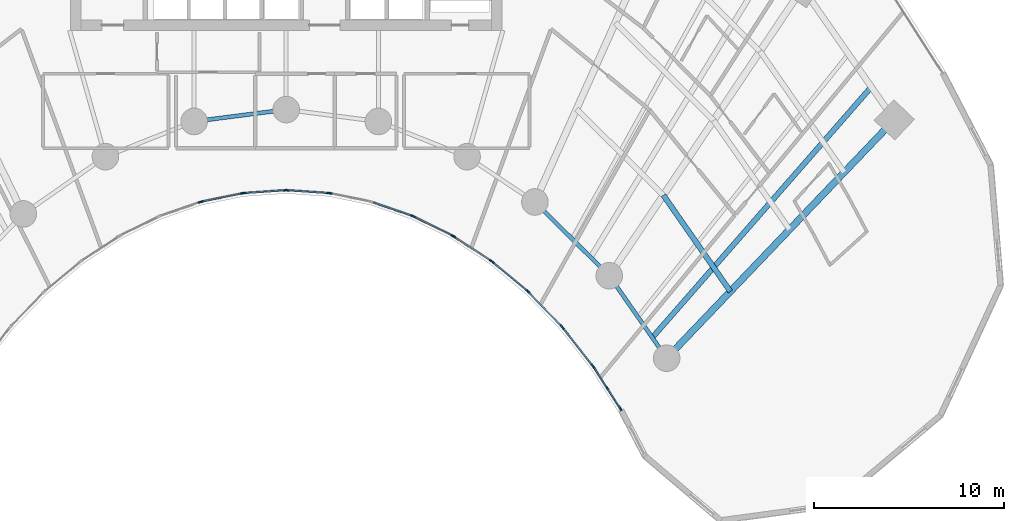
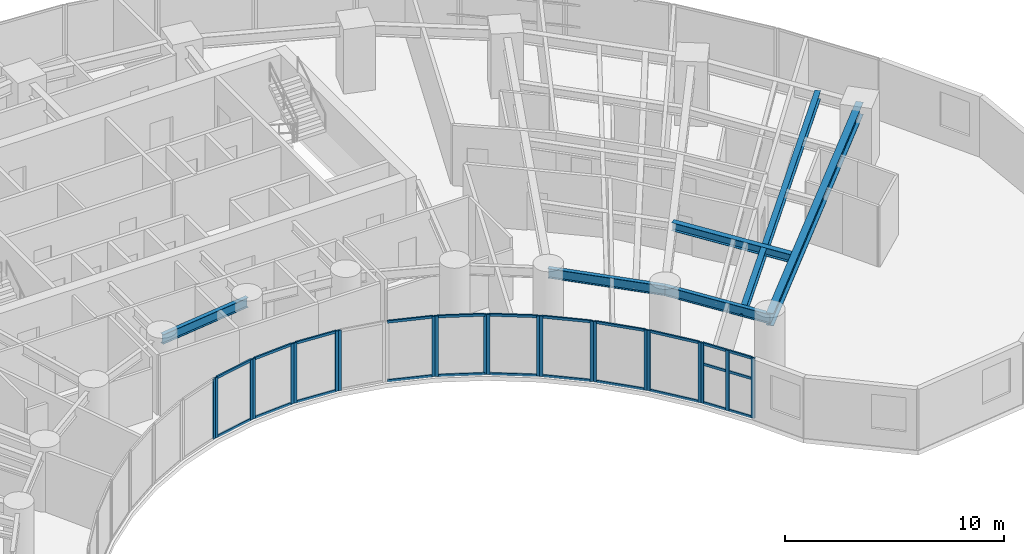
# One storey, part 4 of 17: 46 members, 6 beams, 12 elements without a shape of their own.
"""IFC4 building model written with IfcOpenShell, lengths in metres."""

from ifc_helpers import new_model, si_unit, direction, frame, origin, origin_2d, place, context, subcontext, project, spatial, rectangle, i_section, extrude, source, transform, mapped, material, layer, layer_set, material_profile, profile_set, type_object, type_shapes, element, aggregate, save


model = new_model("IFC4")

# Units and contexts
model_context = context("Model", 3, precision=1e-05, world=origin(), true_north=direction((0.0, 1.0)))
body_context = subcontext(model_context, "Body", "Model", "MODEL_VIEW")
ifc_project = project(units=[si_unit("LENGTHUNIT", "METRE"), si_unit("AREAUNIT", "SQUARE_METRE"), si_unit("VOLUMEUNIT", "CUBIC_METRE"), si_unit("PLANEANGLEUNIT", "RADIAN"), si_unit("MASSUNIT", "GRAM", prefix="KILO")], contexts=[model_context])

# Site, building, storey
site_placement = place(None, origin())
site = spatial("IfcSite", under=ifc_project, at=site_placement, CompositionType="ELEMENT")
building_placement = place(site_placement, origin())
building = spatial("IfcBuilding", under=site, at=building_placement, Name="Breltana Convention Tower", CompositionType="ELEMENT")
storey_placement = place(building_placement, frame((0.0, 0.0, 60.60009765625)))
storey = spatial("IfcBuildingStorey", under=building, at=storey_placement, Name="L13", CompositionType="ELEMENT", Elevation=60.60009765625)

# Beams
ifc_material_1 = material(Name="Steel ASTM A992 Grade 50", Category="steel")
ifc_material_profile_1 = material_profile(ifc_material_1, i_section(OverallWidth=0.35498046875, OverallDepth=0.696044921875, WebThickness=0.015380859375, FlangeThickness=0.02490234375, at=origin_2d()), Name="W27X146")
ifc_profile_set_1 = profile_set([ifc_material_profile_1], Name="Steel ASTM A992 Grade 50")
beam_type_1 = type_object("IfcBeamType", Name="BM-RG-W27X146", PredefinedType="USERDEFINED", material=ifc_profile_set_1)
shared_shape_1 = source(origin(), body_context, "Body", "SweptSolid", [
    extrude(i_section(OverallWidth=0.35498046875, OverallDepth=0.696044921875, WebThickness=0.015380859375, FlangeThickness=0.02490234375, at=origin_2d()), origin(), (0.0, 0.0, 1.0), 17.341064453125),
])
type_shapes(beam_type_1, [shared_shape_1])
beam_1_placement = place(storey_placement, frame((68.015380859375, 42.95458984375, 3.011962890625), z_axis=(0.690716462293, 0.723125693581, 0.0), x_axis=(-0.723125693581, 0.690716462293, 0.0)))
element("IfcBeam", 1, at=beam_1_placement, inside=storey, type_object=beam_type_1, Name="L13 Radial Floor Girder R11", ObjectType="GIRDER", PredefinedType="USERDEFINED", context=body_context, shape_type="MappedRepresentation", body=[
    mapped(shared_shape_1, transform((0.0, 0.0, 0.0), scale=1.0)),
])
ifc_material_profile_2 = material_profile(ifc_material_1, i_section(OverallWidth=0.2099609375, OverallDepth=0.537109375, WebThickness=0.010986328125, FlangeThickness=0.017333984375, at=origin_2d()), Name="W21X68")
ifc_profile_set_2 = profile_set([ifc_material_profile_2], Name="Steel ASTM A992 Grade 50")
beam_type_2 = type_object("IfcBeamType", Name="BM-BM-W21X68", PredefinedType="BEAM", material=ifc_profile_set_2)
shared_shape_2 = source(origin(), body_context, "Body", "SweptSolid", [
    extrude(i_section(OverallWidth=0.2099609375, OverallDepth=0.537109375, WebThickness=0.010986328125, FlangeThickness=0.017333984375, at=origin_2d()), origin(), (0.0, 0.0, 1.0), 4.88671875),
])
beam_2_placement = place(storey_placement, frame((43.153564453125, 55.41064453125, 3.09130859375), z_axis=(0.991780525565, 0.127950729231, 0.0), x_axis=(-0.127950729231, 0.991780525565, 0.0)))
element("IfcBeam", 2, at=beam_2_placement, inside=storey, type_object=beam_type_2, Name="L13 Inner Ring Beam 05", PredefinedType="BEAM", context=body_context, shape_type="MappedRepresentation", body=[
    mapped(shared_shape_2, transform((0.0, 0.0, 0.0), scale=1.0)),
])
shared_shape_3 = source(origin(), body_context, "Body", "SweptSolid", [
    extrude(i_section(OverallWidth=0.2099609375, OverallDepth=0.537109375, WebThickness=0.010986328125, FlangeThickness=0.017333984375, at=origin_2d()), origin(), (0.0, 0.0, 1.0), 5.51171875),
])
beam_3_placement = place(storey_placement, frame((61.08203125, 51.174560546875, 3.09130859375), z_axis=(0.710090360749, -0.704110559196, 0.0), x_axis=(0.704110559196, 0.710090360749, 0.0)))
element("IfcBeam", 3, at=beam_3_placement, inside=storey, type_object=beam_type_2, Name="L13 Inner Ring Beam 09", PredefinedType="BEAM", context=body_context, shape_type="MappedRepresentation", body=[
    mapped(shared_shape_3, transform((0.0, 0.0, 0.0), scale=1.0)),
])
shared_shape_4 = source(origin(), body_context, "Body", "SweptSolid", [
    extrude(i_section(OverallWidth=0.2099609375, OverallDepth=0.537109375, WebThickness=0.010986328125, FlangeThickness=0.017333984375, at=origin_2d()), origin(), (0.0, 0.0, 1.0), 5.286376953125),
])
beam_4_placement = place(storey_placement, frame((64.995849609375, 47.293701171875, 3.09130859375), z_axis=(0.571194382458, -0.82081482531, 0.0), x_axis=(0.82081482531, 0.571194382458, 0.0)))
element("IfcBeam", 4, at=beam_4_placement, inside=storey, type_object=beam_type_2, Name="L13 Inner Ring Beam 10", PredefinedType="BEAM", context=body_context, shape_type="MappedRepresentation", body=[
    mapped(shared_shape_4, transform((0.0, 0.0, 0.0), scale=1.0)),
])
ifc_material_profile_3 = material_profile(ifc_material_1, i_section(OverallWidth=0.280029296875, OverallDepth=0.462890625, WebThickness=0.0107421875, FlangeThickness=0.017333984375, at=origin_2d()), Name="W18X76")
ifc_profile_set_3 = profile_set([ifc_material_profile_3], Name="Steel ASTM A992 Grade 50")
beam_type_3 = type_object("IfcBeamType", Name="BM-JSG-06", PredefinedType="JOIST", material=ifc_profile_set_3)
shared_shape_5 = source(origin(), body_context, "Body", "SweptSolid", [
    extrude(i_section(OverallWidth=0.280029296875, OverallDepth=0.462890625, WebThickness=0.0107421875, FlangeThickness=0.017333984375, at=origin_2d()), origin(), (0.0, 0.0, 1.0), 6.172119140625),
])
beam_5_placement = place(storey_placement, frame((67.84375, 51.531982421875, 3.12841796875), z_axis=(0.571211663392, -0.820802799462, 0.0), x_axis=(0.820802799462, 0.571211663392, 0.0)))
element("IfcBeam", 5, at=beam_5_placement, inside=storey, type_object=beam_type_3, Name="L13 Composite Floor Joist 10.1", PredefinedType="JOIST", context=body_context, shape_type="MappedRepresentation", body=[
    mapped(shared_shape_5, transform((0.0, 0.0, 0.0), scale=1.0)),
])
shared_shape_6 = source(origin(), body_context, "Body", "SweptSolid", [
    extrude(i_section(OverallWidth=0.280029296875, OverallDepth=0.462890625, WebThickness=0.0107421875, FlangeThickness=0.017333984375, at=origin_2d()), origin(), (0.0, 0.0, 1.0), 17.515625),
])
beam_6_placement = place(storey_placement, frame((67.260498046875, 44.03955078125, 3.12841796875), z_axis=(0.658051548324, 0.752972881151, 0.0), x_axis=(-0.752972881151, 0.658051548324, 0.0)))
element("IfcBeam", 6, at=beam_6_placement, inside=storey, type_object=beam_type_3, Name="L13 Quarter-Bay Radial Trimmer 10", PredefinedType="JOIST", context=body_context, shape_type="MappedRepresentation", body=[
    mapped(shared_shape_6, transform((0.0, 0.0, 0.0), scale=1.0)),
])

# Curtain wall, members
ifc_material_2 = material(Name="Aluminium Anodised Bronze Frame", Category="aluminium")
ifc_layer = layer(ifc_material_2, 0.18994140625, Name="Aluminium Anodised Bronze Frame")
ifc_layer_set = layer_set([ifc_layer], Name="Aluminium Anodised Bronze Frame")
curtain_wall_type = type_object("IfcCurtainWallType", Name="CW-SYS-1", PredefinedType="NOTDEFINED", material=ifc_layer_set)
curtain_wall_1_placement = place(storey_placement, origin())
curtain_wall_1 = element("IfcCurtainWall", 7, at=curtain_wall_1_placement, inside=storey, type_object=curtain_wall_type, Name="L13 inner south-court glazing 3", PredefinedType="NOTDEFINED")
ifc_material_3 = material(Name="Aluminium Anodised Bronze", Category="aluminium")
ifc_material_profile_4 = material_profile(ifc_material_3, rectangle(XDim=0.080078125, YDim=0.139892578125, at=origin_2d()), Name="CWT-80X140")
ifc_profile_set_4 = profile_set([ifc_material_profile_4], Name="Aluminium Anodised Bronze")
member_type_1 = type_object("IfcMemberType", Name="CWT-140", PredefinedType="USERDEFINED", material=ifc_profile_set_4)
shared_shape_7 = source(origin(), body_context, "Body", "SweptSolid", [
    extrude(rectangle(XDim=0.080078125, YDim=0.139892578125, at=origin_2d()), origin(), (0.0, 0.0, 1.0), 2.38720703125),
])
type_shapes(member_type_1, [shared_shape_7])
member_1_placement = place(storey_placement, frame((62.4560546875, 44.667724609375, 0.039794921875), z_axis=(-0.694623715393, 0.719373264734, 0.0), x_axis=(-0.719373264734, -0.694623715393, 0.0)))
member_1 = element("IfcMember", 8, at=member_1_placement, type_object=member_type_1, Name="CW-01 transom 1.1", ObjectType="TRANSOM", PredefinedType="USERDEFINED", context=body_context, shape_type="MappedRepresentation", body=[
    mapped(shared_shape_7, transform((0.0, 0.0, 0.0), scale=1.0)),
])
member_2_placement = place(storey_placement, frame((62.4560546875, 44.667724609375, 3.31982421875), z_axis=(-0.694623715393, 0.719373264734, 0.0), x_axis=(-0.719373264734, -0.694623715393, 0.0)))
member_2 = element("IfcMember", 9, at=member_2_placement, type_object=member_type_1, Name="CW-01 transom 1.2", ObjectType="TRANSOM", PredefinedType="USERDEFINED", context=body_context, shape_type="MappedRepresentation", body=[
    mapped(shared_shape_7, transform((0.0, 0.0, 0.0), scale=1.0)),
])

curtain_wall_2_placement = place(storey_placement, origin())
curtain_wall_2 = element("IfcCurtainWall", 10, at=curtain_wall_2_placement, inside=storey, type_object=curtain_wall_type, Name="L13 inner south-court glazing 4", PredefinedType="NOTDEFINED")
shared_shape_8 = source(origin(), body_context, "Body", "SweptSolid", [
    extrude(rectangle(XDim=0.080078125, YDim=0.139892578125, at=origin_2d()), origin(), (0.0, 0.0, 1.0), 2.312255859375),
])
member_3_placement = place(storey_placement, frame((60.666748046875, 46.5068359375, 0.039794921875), z_axis=(-0.767900974507, 0.640568570374, 0.0), x_axis=(-0.640568570374, -0.767900974507, 0.0)))
member_3 = element("IfcMember", 11, at=member_3_placement, type_object=member_type_1, Name="CW-01 transom 1.1", ObjectType="TRANSOM", PredefinedType="USERDEFINED", context=body_context, shape_type="MappedRepresentation", body=[
    mapped(shared_shape_8, transform((0.0, 0.0, 0.0), scale=1.0)),
])
member_4_placement = place(storey_placement, frame((60.666748046875, 46.5068359375, 3.31982421875), z_axis=(-0.767900974507, 0.640568570374, 0.0), x_axis=(-0.640568570374, -0.767900974507, 0.0)))
member_4 = element("IfcMember", 12, at=member_4_placement, type_object=member_type_1, Name="CW-01 transom 1.2", ObjectType="TRANSOM", PredefinedType="USERDEFINED", context=body_context, shape_type="MappedRepresentation", body=[
    mapped(shared_shape_8, transform((0.0, 0.0, 0.0), scale=1.0)),
])

curtain_wall_3_placement = place(storey_placement, origin())
curtain_wall_3 = element("IfcCurtainWall", 13, at=curtain_wall_3_placement, inside=storey, type_object=curtain_wall_type, Name="L13 inner south-court glazing 5", PredefinedType="NOTDEFINED")
shared_shape_9 = source(origin(), body_context, "Body", "SweptSolid", [
    extrude(rectangle(XDim=0.080078125, YDim=0.139892578125, at=origin_2d()), origin(), (0.0, 0.0, 1.0), 2.2421875),
])
member_5_placement = place(storey_placement, frame((58.746337890625, 48.095458984375, 0.039794921875), z_axis=(-0.835982353773, 0.548756324957, 0.0), x_axis=(-0.548756324957, -0.835982353773, 0.0)))
member_5 = element("IfcMember", 14, at=member_5_placement, type_object=member_type_1, Name="CW-01 transom 1.1", ObjectType="TRANSOM", PredefinedType="USERDEFINED", context=body_context, shape_type="MappedRepresentation", body=[
    mapped(shared_shape_9, transform((0.0, 0.0, 0.0), scale=1.0)),
])
member_6_placement = place(storey_placement, frame((58.746337890625, 48.095458984375, 3.31982421875), z_axis=(-0.835982353773, 0.548756324957, 0.0), x_axis=(-0.548756324957, -0.835982353773, 0.0)))
member_6 = element("IfcMember", 15, at=member_6_placement, type_object=member_type_1, Name="CW-01 transom 1.2", ObjectType="TRANSOM", PredefinedType="USERDEFINED", context=body_context, shape_type="MappedRepresentation", body=[
    mapped(shared_shape_9, transform((0.0, 0.0, 0.0), scale=1.0)),
])

curtain_wall_4_placement = place(storey_placement, origin())
curtain_wall_4 = element("IfcCurtainWall", 16, at=curtain_wall_4_placement, inside=storey, type_object=curtain_wall_type, Name="L13 inner south-court glazing 6", PredefinedType="NOTDEFINED")
shared_shape_10 = source(origin(), body_context, "Body", "SweptSolid", [
    extrude(rectangle(XDim=0.080078125, YDim=0.139892578125, at=origin_2d()), origin(), (0.0, 0.0, 1.0), 2.180908203125),
])
member_7_placement = place(storey_placement, frame((56.71435546875, 49.416015625, 0.039794921875), z_axis=(-0.895922266369, 0.444210865045, 0.0), x_axis=(-0.444210865045, -0.895922266369, 0.0)))
member_7 = element("IfcMember", 17, at=member_7_placement, type_object=member_type_1, Name="CW-01 transom 1.1", ObjectType="TRANSOM", PredefinedType="USERDEFINED", context=body_context, shape_type="MappedRepresentation", body=[
    mapped(shared_shape_10, transform((0.0, 0.0, 0.0), scale=1.0)),
])
member_8_placement = place(storey_placement, frame((56.71435546875, 49.416015625, 3.31982421875), z_axis=(-0.895922266369, 0.444210865045, 0.0), x_axis=(-0.444210865045, -0.895922266369, 0.0)))
member_8 = element("IfcMember", 18, at=member_8_placement, type_object=member_type_1, Name="CW-01 transom 1.2", ObjectType="TRANSOM", PredefinedType="USERDEFINED", context=body_context, shape_type="MappedRepresentation", body=[
    mapped(shared_shape_10, transform((0.0, 0.0, 0.0), scale=1.0)),
])

curtain_wall_5_placement = place(storey_placement, origin())
curtain_wall_5 = element("IfcCurtainWall", 19, at=curtain_wall_5_placement, inside=storey, type_object=curtain_wall_type, Name="L13 inner south-court glazing 9", PredefinedType="NOTDEFINED")
shared_shape_11 = source(origin(), body_context, "Body", "SweptSolid", [
    extrude(rectangle(XDim=0.080078125, YDim=0.139892578125, at=origin_2d()), origin(), (0.0, 0.0, 1.0), 2.07861328125),
])
member_9_placement = place(storey_placement, frame((50.165771484375, 51.6474609375, 0.039794921875), z_axis=(-0.997708627147, 0.067657189691, 0.0), x_axis=(-0.067657189691, -0.997708627147, 0.0)))
member_9 = element("IfcMember", 20, at=member_9_placement, type_object=member_type_1, Name="CW-01 transom 1.1", ObjectType="TRANSOM", PredefinedType="USERDEFINED", context=body_context, shape_type="MappedRepresentation", body=[
    mapped(shared_shape_11, transform((0.0, 0.0, 0.0), scale=1.0)),
])
member_10_placement = place(storey_placement, frame((50.165771484375, 51.6474609375, 3.31982421875), z_axis=(-0.997708627147, 0.067657189691, 0.0), x_axis=(-0.067657189691, -0.997708627147, 0.0)))
member_10 = element("IfcMember", 21, at=member_10_placement, type_object=member_type_1, Name="CW-01 transom 1.2", ObjectType="TRANSOM", PredefinedType="USERDEFINED", context=body_context, shape_type="MappedRepresentation", body=[
    mapped(shared_shape_11, transform((0.0, 0.0, 0.0), scale=1.0)),
])

curtain_wall_6_placement = place(storey_placement, origin())
curtain_wall_6 = element("IfcCurtainWall", 22, at=curtain_wall_6_placement, inside=storey, type_object=curtain_wall_type, Name="L13 inner south-court glazing 10", PredefinedType="NOTDEFINED")
member_11_placement = place(storey_placement, frame((47.907958984375, 51.7880859375, 0.039794921875), z_axis=(-0.997708627147, -0.067657189691, 0.0), x_axis=(0.067657189691, -0.997708627147, 0.0)))
member_11 = element("IfcMember", 23, at=member_11_placement, type_object=member_type_1, Name="CW-01 transom 1.1", ObjectType="TRANSOM", PredefinedType="USERDEFINED", context=body_context, shape_type="MappedRepresentation", body=[
    mapped(shared_shape_11, transform((0.0, 0.0, 0.0), scale=1.0)),
])
member_12_placement = place(storey_placement, frame((47.907958984375, 51.7880859375, 3.31982421875), z_axis=(-0.997708627147, -0.067657189691, 0.0), x_axis=(0.067657189691, -0.997708627147, 0.0)))
member_12 = element("IfcMember", 24, at=member_12_placement, type_object=member_type_1, Name="CW-01 transom 1.2", ObjectType="TRANSOM", PredefinedType="USERDEFINED", context=body_context, shape_type="MappedRepresentation", body=[
    mapped(shared_shape_11, transform((0.0, 0.0, 0.0), scale=1.0)),
])

curtain_wall_7_placement = place(storey_placement, origin())
curtain_wall_7 = element("IfcCurtainWall", 25, at=curtain_wall_7_placement, inside=storey, type_object=curtain_wall_type, Name="L13 inner south-court glazing 2", PredefinedType="NOTDEFINED")
shared_shape_12 = source(origin(), body_context, "Body", "SweptSolid", [
    extrude(rectangle(XDim=0.080078125, YDim=0.139892578125, at=origin_2d()), origin(), (0.0, 0.0, 1.0), 2.4638671875),
])
member_13_placement = place(storey_placement, frame((64.09619140625, 42.5966796875, 0.039794921875), z_axis=(-0.618184689608, 0.786032880695, 0.0), x_axis=(-0.786032880695, -0.618184689608, 0.0)))
member_13 = element("IfcMember", 26, at=member_13_placement, type_object=member_type_1, Name="CW-01 transom 1.1", ObjectType="TRANSOM", PredefinedType="USERDEFINED", context=body_context, shape_type="MappedRepresentation", body=[
    mapped(shared_shape_12, transform((0.0, 0.0, 0.0), scale=1.0)),
])
member_14_placement = place(storey_placement, frame((64.09619140625, 42.5966796875, 3.31982421875), z_axis=(-0.618184689608, 0.786032880695, 0.0), x_axis=(-0.786032880695, -0.618184689608, 0.0)))
member_14 = element("IfcMember", 27, at=member_14_placement, type_object=member_type_1, Name="CW-01 transom 1.2", ObjectType="TRANSOM", PredefinedType="USERDEFINED", context=body_context, shape_type="MappedRepresentation", body=[
    mapped(shared_shape_12, transform((0.0, 0.0, 0.0), scale=1.0)),
])

curtain_wall_8_placement = place(storey_placement, origin())
curtain_wall_8 = element("IfcCurtainWall", 28, at=curtain_wall_8_placement, inside=storey, type_object=curtain_wall_type, Name="L13 inner south-court glazing 1", PredefinedType="NOTDEFINED")
shared_shape_13 = source(origin(), body_context, "Body", "SweptSolid", [
    extrude(rectangle(XDim=0.080078125, YDim=0.139892578125, at=origin_2d()), origin(), (0.0, 0.0, 1.0), 1.229736328125),
])
member_15_placement = place(storey_placement, frame((65.57080078125, 40.315185546875, 0.039794921875), z_axis=(-0.540185543357, 0.841545945714, 0.0), x_axis=(-0.841545945714, -0.540185543357, 0.0)))
member_15 = element("IfcMember", 29, at=member_15_placement, type_object=member_type_1, Name="CW-01 transom 1.1", ObjectType="TRANSOM", PredefinedType="USERDEFINED", context=body_context, shape_type="MappedRepresentation", body=[
    mapped(shared_shape_13, transform((0.0, 0.0, 0.0), scale=1.0)),
])
member_16_placement = place(storey_placement, frame((65.57080078125, 40.315185546875, 2.183837890625), z_axis=(-0.540185543357, 0.841545945714, 0.0), x_axis=(-0.841545945714, -0.540185543357, 0.0)))
member_16 = element("IfcMember", 30, at=member_16_placement, type_object=member_type_1, Name="CW-01 transom 1.2", ObjectType="TRANSOM", PredefinedType="USERDEFINED", context=body_context, shape_type="MappedRepresentation", body=[
    mapped(shared_shape_13, transform((0.0, 0.0, 0.0), scale=1.0)),
])
member_17_placement = place(storey_placement, frame((65.57080078125, 40.315185546875, 3.31982421875), z_axis=(-0.540185543357, 0.841545945714, 0.0), x_axis=(-0.841545945714, -0.540185543357, 0.0)))
member_17 = element("IfcMember", 31, at=member_17_placement, type_object=member_type_1, Name="CW-01 transom 1.3", ObjectType="TRANSOM", PredefinedType="USERDEFINED", context=body_context, shape_type="MappedRepresentation", body=[
    mapped(shared_shape_13, transform((0.0, 0.0, 0.0), scale=1.0)),
])
member_18_placement = place(storey_placement, frame((64.86328125, 41.41748046875, 0.039794921875), z_axis=(-0.540185543357, 0.841545945714, 0.0), x_axis=(-0.841545945714, -0.540185543357, 0.0)))
member_18 = element("IfcMember", 32, at=member_18_placement, type_object=member_type_1, Name="CW-01 transom 2.1", ObjectType="TRANSOM", PredefinedType="USERDEFINED", context=body_context, shape_type="MappedRepresentation", body=[
    mapped(shared_shape_13, transform((0.0, 0.0, 0.0), scale=1.0)),
])
member_19_placement = place(storey_placement, frame((64.86328125, 41.41748046875, 2.183837890625), z_axis=(-0.540185543357, 0.841545945714, 0.0), x_axis=(-0.841545945714, -0.540185543357, 0.0)))
member_19 = element("IfcMember", 33, at=member_19_placement, type_object=member_type_1, Name="CW-01 transom 2.2", ObjectType="TRANSOM", PredefinedType="USERDEFINED", context=body_context, shape_type="MappedRepresentation", body=[
    mapped(shared_shape_13, transform((0.0, 0.0, 0.0), scale=1.0)),
])
member_20_placement = place(storey_placement, frame((64.86328125, 41.41748046875, 3.31982421875), z_axis=(-0.540185543357, 0.841545945714, 0.0), x_axis=(-0.841545945714, -0.540185543357, 0.0)))
member_20 = element("IfcMember", 34, at=member_20_placement, type_object=member_type_1, Name="CW-01 transom 2.3", ObjectType="TRANSOM", PredefinedType="USERDEFINED", context=body_context, shape_type="MappedRepresentation", body=[
    mapped(shared_shape_13, transform((0.0, 0.0, 0.0), scale=1.0)),
])

curtain_wall_9_placement = place(storey_placement, origin())
curtain_wall_9 = element("IfcCurtainWall", 35, at=curtain_wall_9_placement, inside=storey, type_object=curtain_wall_type, Name="L13 inner south-court glazing 7", PredefinedType="NOTDEFINED")
shared_shape_14 = source(origin(), body_context, "Body", "SweptSolid", [
    extrude(rectangle(XDim=0.080078125, YDim=0.139892578125, at=origin_2d()), origin(), (0.0, 0.0, 1.0), 2.131103515625),
])
member_21_placement = place(storey_placement, frame((54.592041015625, 50.455078125, 0.039794921875), z_axis=(-0.944847069856, 0.327511854112, 0.0), x_axis=(-0.327511854112, -0.944847069856, 0.0)))
member_21 = element("IfcMember", 36, at=member_21_placement, type_object=member_type_1, Name="CW-01 transom 1.1", ObjectType="TRANSOM", PredefinedType="USERDEFINED", context=body_context, shape_type="MappedRepresentation", body=[
    mapped(shared_shape_14, transform((0.0, 0.0, 0.0), scale=1.0)),
])
member_22_placement = place(storey_placement, frame((54.592041015625, 50.455078125, 3.31982421875), z_axis=(-0.944847069856, 0.327511854112, 0.0), x_axis=(-0.327511854112, -0.944847069856, 0.0)))
member_22 = element("IfcMember", 37, at=member_22_placement, type_object=member_type_1, Name="CW-01 transom 1.2", ObjectType="TRANSOM", PredefinedType="USERDEFINED", context=body_context, shape_type="MappedRepresentation", body=[
    mapped(shared_shape_14, transform((0.0, 0.0, 0.0), scale=1.0)),
])

curtain_wall_10_placement = place(storey_placement, origin())
curtain_wall_10 = element("IfcCurtainWall", 38, at=curtain_wall_10_placement, inside=storey, type_object=curtain_wall_type, Name="L13 inner south-court glazing 11", PredefinedType="NOTDEFINED")
shared_shape_15 = source(origin(), body_context, "Body", "SweptSolid", [
    extrude(rectangle(XDim=0.080078125, YDim=0.139892578125, at=origin_2d()), origin(), (0.0, 0.0, 1.0), 2.096435546875),
])
member_23_placement = place(storey_placement, frame((45.652099609375, 51.62255859375, 0.039794921875), z_axis=(-0.979615042233, -0.200883969074, 0.0), x_axis=(0.200883969074, -0.979615042233, 0.0)))
member_23 = element("IfcMember", 39, at=member_23_placement, type_object=member_type_1, Name="CW-01 transom 1.1", ObjectType="TRANSOM", PredefinedType="USERDEFINED", context=body_context, shape_type="MappedRepresentation", body=[
    mapped(shared_shape_15, transform((0.0, 0.0, 0.0), scale=1.0)),
])
member_24_placement = place(storey_placement, frame((45.652099609375, 51.62255859375, 3.31982421875), z_axis=(-0.979615042233, -0.200883969074, 0.0), x_axis=(0.200883969074, -0.979615042233, 0.0)))
member_24 = element("IfcMember", 40, at=member_24_placement, type_object=member_type_1, Name="CW-01 transom 1.2", ObjectType="TRANSOM", PredefinedType="USERDEFINED", context=body_context, shape_type="MappedRepresentation", body=[
    mapped(shared_shape_15, transform((0.0, 0.0, 0.0), scale=1.0)),
])

# Member
ifc_material_profile_5 = material_profile(ifc_material_3, rectangle(XDim=0.080078125, YDim=0.199951171875, at=origin_2d()), Name="CWM-80X200")
ifc_profile_set_5 = profile_set([ifc_material_profile_5], Name="Aluminium Anodised Bronze")
member_type_2 = type_object("IfcMemberType", Name="CWM-200", PredefinedType="MULLION", material=ifc_profile_set_5)
shared_shape_16 = source(origin(), body_context, "Body", "SweptSolid", [
    extrude(rectangle(XDim=0.080078125, YDim=0.199951171875, at=origin_2d()), origin(), (0.0, 0.0, 1.0), 3.35986328125),
])
member_25_placement = place(storey_placement, frame((65.59228515625, 40.281494140625, 0.0), z_axis=(0.0, 0.0, 1.0), x_axis=(-0.841556194767, -0.540169576197, 0.0)))
member_25 = element("IfcMember", 41, at=member_25_placement, type_object=member_type_2, Name="CW-01 mullion 1", PredefinedType="MULLION", context=body_context, shape_type="MappedRepresentation", body=[
    mapped(shared_shape_16, transform((0.0, 0.0, 0.0), scale=1.0)),
])

member_26_placement = place(storey_placement, frame((64.884765625, 41.3837890625, 0.0), z_axis=(0.0, 0.0, 1.0), x_axis=(-0.841556194767, -0.540169576197, 0.0)))
member_26 = element("IfcMember", 42, at=member_26_placement, type_object=member_type_2, Name="CW-01 mullion 2", PredefinedType="MULLION", context=body_context, shape_type="MappedRepresentation", body=[
    mapped(shared_shape_16, transform((0.0, 0.0, 0.0), scale=1.0)),
])

member_27_placement = place(storey_placement, frame((64.17724609375, 42.48583984375, 0.0), z_axis=(0.0, 0.0, 1.0), x_axis=(-0.841556194767, -0.540169576197, 0.0)))
member_27 = element("IfcMember", 43, at=member_27_placement, type_object=member_type_2, Name="CW-01 mullion 3", PredefinedType="MULLION", context=body_context, shape_type="MappedRepresentation", body=[
    mapped(shared_shape_16, transform((0.0, 0.0, 0.0), scale=1.0)),
])

aggregate(curtain_wall_8, [member_25, member_26, member_27, member_15, member_16, member_17, member_18, member_19, member_20])

member_28_placement = place(storey_placement, frame((64.12109375, 42.565185546875, 0.0), z_axis=(0.0, 0.0, 1.0), x_axis=(-0.786057762734, -0.61815305034, 0.0)))
member_28 = element("IfcMember", 44, at=member_28_placement, type_object=member_type_2, Name="CW-01 mullion 1", PredefinedType="MULLION", context=body_context, shape_type="MappedRepresentation", body=[
    mapped(shared_shape_16, transform((0.0, 0.0, 0.0), scale=1.0)),
])

member_29_placement = place(storey_placement, frame((62.54833984375, 44.56494140625, 0.0), z_axis=(0.0, 0.0, 1.0), x_axis=(-0.786057762734, -0.61815305034, 0.0)))
member_29 = element("IfcMember", 45, at=member_29_placement, type_object=member_type_2, Name="CW-01 mullion 2", PredefinedType="MULLION", context=body_context, shape_type="MappedRepresentation", body=[
    mapped(shared_shape_16, transform((0.0, 0.0, 0.0), scale=1.0)),
])

aggregate(curtain_wall_7, [member_28, member_29, member_13, member_14])

member_30_placement = place(storey_placement, frame((62.48388671875, 44.638916015625, 0.0), z_axis=(0.0, 0.0, 1.0), x_axis=(-0.719384548773, -0.694612029111, 0.0)))
member_30 = element("IfcMember", 46, at=member_30_placement, type_object=member_type_2, Name="CW-01 mullion 1", PredefinedType="MULLION", context=body_context, shape_type="MappedRepresentation", body=[
    mapped(shared_shape_16, transform((0.0, 0.0, 0.0), scale=1.0)),
])

member_31_placement = place(storey_placement, frame((60.77001953125, 46.413818359375, 0.0), z_axis=(0.0, 0.0, 1.0), x_axis=(-0.719384548773, -0.694612029111, 0.0)))
member_31 = element("IfcMember", 47, at=member_31_placement, type_object=member_type_2, Name="CW-01 mullion 2", PredefinedType="MULLION", context=body_context, shape_type="MappedRepresentation", body=[
    mapped(shared_shape_16, transform((0.0, 0.0, 0.0), scale=1.0)),
])

aggregate(curtain_wall_1, [member_30, member_31, member_1, member_2])

member_32_placement = place(storey_placement, frame((60.697265625, 46.481201171875, 0.0), z_axis=(0.0, 0.0, 1.0), x_axis=(-0.640522524458, -0.767939382804, 0.0)))
member_32 = element("IfcMember", 48, at=member_32_placement, type_object=member_type_2, Name="CW-01 mullion 1", PredefinedType="MULLION", context=body_context, shape_type="MappedRepresentation", body=[
    mapped(shared_shape_16, transform((0.0, 0.0, 0.0), scale=1.0)),
])

member_33_placement = place(storey_placement, frame((58.8603515625, 48.013671875, 0.0), z_axis=(0.0, 0.0, 1.0), x_axis=(-0.640522524458, -0.767939382804, 0.0)))
member_33 = element("IfcMember", 49, at=member_33_placement, type_object=member_type_2, Name="CW-01 mullion 2", PredefinedType="MULLION", context=body_context, shape_type="MappedRepresentation", body=[
    mapped(shared_shape_16, transform((0.0, 0.0, 0.0), scale=1.0)),
])

aggregate(curtain_wall_2, [member_32, member_33, member_3, member_4])

member_34_placement = place(storey_placement, frame((58.779541015625, 48.073486328125, 0.0), z_axis=(0.0, 0.0, 1.0), x_axis=(-0.548778278441, -0.835967942634, 0.0)))
member_34 = element("IfcMember", 50, at=member_34_placement, type_object=member_type_2, Name="CW-01 mullion 1", PredefinedType="MULLION", context=body_context, shape_type="MappedRepresentation", body=[
    mapped(shared_shape_16, transform((0.0, 0.0, 0.0), scale=1.0)),
])

member_35_placement = place(storey_placement, frame((56.83837890625, 49.347900390625, 0.0), z_axis=(0.0, 0.0, 1.0), x_axis=(-0.548778278441, -0.835967942634, 0.0)))
member_35 = element("IfcMember", 51, at=member_35_placement, type_object=member_type_2, Name="CW-01 mullion 2", PredefinedType="MULLION", context=body_context, shape_type="MappedRepresentation", body=[
    mapped(shared_shape_16, transform((0.0, 0.0, 0.0), scale=1.0)),
])

aggregate(curtain_wall_3, [member_34, member_35, member_5, member_6])

member_36_placement = place(storey_placement, frame((56.750244140625, 49.3984375, 0.0), z_axis=(0.0, 0.0, 1.0), x_axis=(-0.444117987602, -0.895968310315, 0.0)))
member_36 = element("IfcMember", 52, at=member_36_placement, type_object=member_type_2, Name="CW-01 mullion 1", PredefinedType="MULLION", context=body_context, shape_type="MappedRepresentation", body=[
    mapped(shared_shape_16, transform((0.0, 0.0, 0.0), scale=1.0)),
])

member_37_placement = place(storey_placement, frame((54.724609375, 50.40234375, 0.0), z_axis=(0.0, 0.0, 1.0), x_axis=(-0.444117987602, -0.895968310315, 0.0)))
member_37 = element("IfcMember", 53, at=member_37_placement, type_object=member_type_2, Name="CW-01 mullion 2", PredefinedType="MULLION", context=body_context, shape_type="MappedRepresentation", body=[
    mapped(shared_shape_16, transform((0.0, 0.0, 0.0), scale=1.0)),
])

aggregate(curtain_wall_4, [member_36, member_37, member_7, member_8])

member_38_placement = place(storey_placement, frame((54.6298828125, 50.442138671875, 0.0), z_axis=(0.0, 0.0, 1.0), x_axis=(-0.327413341714, -0.944881211406, 0.0)))
member_38 = element("IfcMember", 54, at=member_38_placement, type_object=member_type_2, Name="CW-01 mullion 1", PredefinedType="MULLION", context=body_context, shape_type="MappedRepresentation", body=[
    mapped(shared_shape_16, transform((0.0, 0.0, 0.0), scale=1.0)),
])

aggregate(curtain_wall_9, [member_38, member_21, member_22])

# Curtain wall, member
curtain_wall_11_placement = place(storey_placement, origin())
curtain_wall_11 = element("IfcCurtainWall", 55, at=curtain_wall_11_placement, inside=storey, type_object=curtain_wall_type, Name="L13 inner south-court glazing 8", PredefinedType="NOTDEFINED")
member_39_placement = place(storey_placement, frame((50.30859375, 51.630615234375, 0.0), z_axis=(0.0, 0.0, 1.0), x_axis=(-0.200886350278, -0.97961455393, 0.0)))
member_39 = element("IfcMember", 56, at=member_39_placement, type_object=member_type_2, Name="CW-01 mullion 2", PredefinedType="MULLION", context=body_context, shape_type="MappedRepresentation", body=[
    mapped(shared_shape_16, transform((0.0, 0.0, 0.0), scale=1.0)),
])
aggregate(curtain_wall_11, [member_39])

# Member
member_40_placement = place(storey_placement, frame((50.20556640625, 51.644775390625, 0.0), z_axis=(0.0, 0.0, 1.0), x_axis=(-0.067725752326, -0.997703975371, 0.0)))
member_40 = element("IfcMember", 57, at=member_40_placement, type_object=member_type_2, Name="CW-01 mullion 1", PredefinedType="MULLION", context=body_context, shape_type="MappedRepresentation", body=[
    mapped(shared_shape_16, transform((0.0, 0.0, 0.0), scale=1.0)),
])

member_41_placement = place(storey_placement, frame((48.052001953125, 51.790771484375, 0.0), z_axis=(0.0, 0.0, 1.0), x_axis=(-0.067725752326, -0.997703975371, 0.0)))
member_41 = element("IfcMember", 58, at=member_41_placement, type_object=member_type_2, Name="CW-01 mullion 2", PredefinedType="MULLION", context=body_context, shape_type="MappedRepresentation", body=[
    mapped(shared_shape_16, transform((0.0, 0.0, 0.0), scale=1.0)),
])

aggregate(curtain_wall_5, [member_40, member_41, member_9, member_10])

member_42_placement = place(storey_placement, frame((47.947998046875, 51.790771484375, 0.0), z_axis=(0.0, 0.0, 1.0), x_axis=(0.067725752326, -0.997703975371, 0.0)))
member_42 = element("IfcMember", 59, at=member_42_placement, type_object=member_type_2, Name="CW-01 mullion 1", PredefinedType="MULLION", context=body_context, shape_type="MappedRepresentation", body=[
    mapped(shared_shape_16, transform((0.0, 0.0, 0.0), scale=1.0)),
])

member_43_placement = place(storey_placement, frame((45.79443359375, 51.644775390625, 0.0), z_axis=(0.0, 0.0, 1.0), x_axis=(0.067725752326, -0.997703975371, 0.0)))
member_43 = element("IfcMember", 60, at=member_43_placement, type_object=member_type_2, Name="CW-01 mullion 2", PredefinedType="MULLION", context=body_context, shape_type="MappedRepresentation", body=[
    mapped(shared_shape_16, transform((0.0, 0.0, 0.0), scale=1.0)),
])

aggregate(curtain_wall_6, [member_42, member_43, member_11, member_12])

member_44_placement = place(storey_placement, frame((45.69140625, 51.630615234375, 0.0), z_axis=(0.0, 0.0, 1.0), x_axis=(0.200886350278, -0.97961455393, 0.0)))
member_44 = element("IfcMember", 61, at=member_44_placement, type_object=member_type_2, Name="CW-01 mullion 1", PredefinedType="MULLION", context=body_context, shape_type="MappedRepresentation", body=[
    mapped(shared_shape_16, transform((0.0, 0.0, 0.0), scale=1.0)),
])

member_45_placement = place(storey_placement, frame((43.55908203125, 51.193359375, 0.0), z_axis=(0.0, 0.0, 1.0), x_axis=(0.200886350278, -0.97961455393, 0.0)))
member_45 = element("IfcMember", 62, at=member_45_placement, type_object=member_type_2, Name="CW-01 mullion 2", PredefinedType="MULLION", context=body_context, shape_type="MappedRepresentation", body=[
    mapped(shared_shape_16, transform((0.0, 0.0, 0.0), scale=1.0)),
])

aggregate(curtain_wall_10, [member_44, member_45, member_23, member_24])

# Curtain wall, member
curtain_wall_12_placement = place(storey_placement, origin())
curtain_wall_12 = element("IfcCurtainWall", 63, at=curtain_wall_12_placement, inside=storey, type_object=curtain_wall_type, Name="L13 inner south-court glazing 12", PredefinedType="NOTDEFINED")
member_46_placement = place(storey_placement, frame((43.45947265625, 51.166015625, 0.0), z_axis=(0.0, 0.0, 1.0), x_axis=(0.327413341714, -0.944881211406, 0.0)))
member_46 = element("IfcMember", 64, at=member_46_placement, type_object=member_type_2, Name="CW-01 mullion 1", PredefinedType="MULLION", context=body_context, shape_type="MappedRepresentation", body=[
    mapped(shared_shape_16, transform((0.0, 0.0, 0.0), scale=1.0)),
])
aggregate(curtain_wall_12, [member_46])

save(model, "model.ifc")
